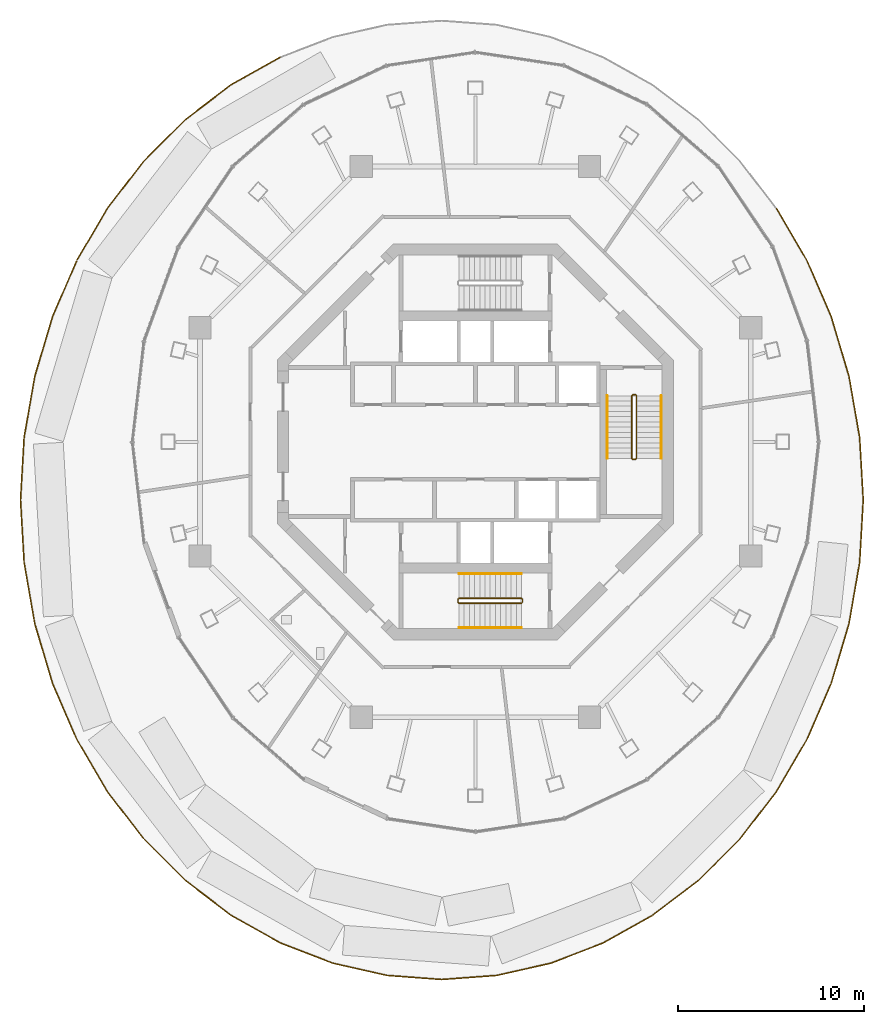
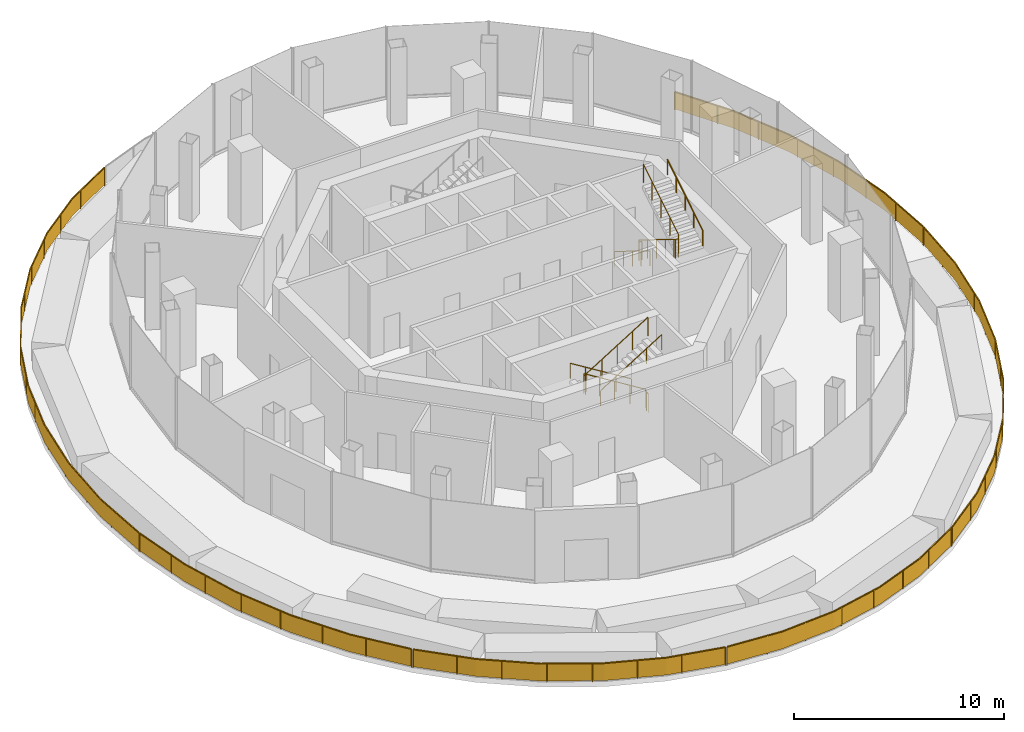
# One storey, part 10 of 12: 14 railings.
"""IFC4 building model written with IfcOpenShell, lengths in metres."""

import ifcopenshell
import ifcopenshell.guid

model = None  # the IFC model being written
_history = None  # IfcOwnerHistory: only IFC2X3 demands one
_inside = {}  # id of a spatial element -> (the spatial element, [elements in it])
_under = {}  # id of a project, library or spatial element -> (it, [spatial elements below it])
_declared = {}  # id of a project -> (the project, [libraries it declares])
_typed = {}  # id of a type object -> (the type object, [elements of that type])
_made_of = {}  # id of a material, layer set ... -> (it, [elements and type objects made of it])


def new_model(schema):
    """Start an empty IFC model of exactly this schema.

    Asked for "IFC4X3", IfcOpenShell would pick the latest addendum, in which some entities
    have other attributes; the version numbers below select the first issue.
    IFC2X3 requires an IfcOwnerHistory on every rooted entity: one is made here for all.
    """
    global model, _history
    if schema == "IFC4X3":
        model = ifcopenshell.file(schema_version=(4, 3, 0, 0))
    else:
        model = ifcopenshell.file(schema=schema)
    _inside.clear()
    _under.clear()
    _declared.clear()
    _typed.clear()
    _made_of.clear()
    _history = None
    if model.schema == "IFC2X3":
        org = make("IfcOrganization", Name="unknown")
        user = make(
            "IfcPersonAndOrganization",
            ThePerson=make("IfcPerson", FamilyName="unknown"),
            TheOrganization=org,
        )
        app = make(
            "IfcApplication",
            ApplicationDeveloper=org,
            Version="unknown",
            ApplicationFullName="unknown",
            ApplicationIdentifier="unknown",
        )
        _history = make(
            "IfcOwnerHistory",
            OwningUser=user,
            OwningApplication=app,
            ChangeAction="ADDED",
            CreationDate=0,
        )
    return model


def make(cls, **values):
    """One entity of the class cls with the attributes given. An attribute that is None is left unset."""
    return model.create_entity(
        cls, **{name: value for name, value in values.items() if value is not None}
    )


def rooted(cls, **values):
    """An entity with a GlobalId (a new one), such as an element, a storey or a relation."""
    return make(cls, GlobalId=ifcopenshell.guid.new(), OwnerHistory=_history, **values)


def si_unit(unit_type, name, prefix=None):
    """IfcSIUnit, for example si_unit("LENGTHUNIT", "METRE", prefix="MILLI")."""
    return make("IfcSIUnit", UnitType=unit_type, Prefix=prefix, Name=name)


def assignment(units):
    """IfcUnitAssignment: the units of a project."""
    return None if units is None else make("IfcUnitAssignment", Units=units)


def point(xyz):
    """IfcCartesianPoint."""
    return None if xyz is None else make("IfcCartesianPoint", Coordinates=xyz)


def direction(xyz):
    """IfcDirection."""
    return None if xyz is None else make("IfcDirection", DirectionRatios=xyz)


def frame(location, z_axis=None, x_axis=None):
    """IfcAxis2Placement3D, a coordinate frame: its origin and axes. An axis left out is left unset."""
    return make(
        "IfcAxis2Placement3D",
        Location=point(location),
        Axis=direction(z_axis),
        RefDirection=direction(x_axis),
    )


def frame_2d(location, x_axis=None):
    """IfcAxis2Placement2D, a coordinate frame in the plane: its origin and x axis."""
    return make(
        "IfcAxis2Placement2D", Location=point(location), RefDirection=direction(x_axis)
    )


def origin():
    """The frame at (0, 0, 0) with its axes left unset."""
    return frame((0.0, 0.0, 0.0))


def origin_2d():
    """The frame at (0, 0) in the plane with its x axis left unset."""
    return frame_2d((0.0, 0.0))


def place(relative_to, where):
    """IfcLocalPlacement: puts the frame where relative to a parent placement (None: the world)."""
    return make(
        "IfcLocalPlacement", PlacementRelTo=relative_to, RelativePlacement=where
    )


def context(
    kind, dimensions, precision=None, world=None, true_north=None, identifier=None
):
    """IfcGeometricRepresentationContext, for example the 3D "Model" context."""
    return make(
        "IfcGeometricRepresentationContext",
        ContextIdentifier=identifier,
        ContextType=kind,
        CoordinateSpaceDimension=dimensions,
        Precision=precision,
        WorldCoordinateSystem=world,
        TrueNorth=true_north,
    )


def subcontext(parent, identifier, kind, view, scale=None):
    """IfcGeometricRepresentationSubContext, for example "Body" below "Model"."""
    return make(
        "IfcGeometricRepresentationSubContext",
        ContextIdentifier=identifier,
        ContextType=kind,
        ParentContext=parent,
        TargetScale=scale,
        TargetView=view,
    )


def project(units=None, contexts=None):
    """IfcProject with its units and contexts."""
    return rooted(
        "IfcProject",
        Name="project",
        RepresentationContexts=contexts,
        UnitsInContext=assignment(units),
    )


def spatial(cls, under=None, at=None, **own):
    """A site, building, storey or space (cls), placed at a placement, below another one or the project."""
    s = rooted(cls, ObjectPlacement=at, **own)
    if under is not None:
        _under.setdefault(under.id(), (under, []))[1].append(s)
    return s


def polyline(points):
    """IfcPolyline through the points."""
    return make("IfcPolyline", Points=[point(p) for p in points])


def profile(cls, at=None, kind="AREA", **sizes):
    """A parametric profile (cls). Its sizes go by their IFC names, for example OverallWidth=200.0."""
    return make(cls, ProfileType=kind, Position=at, **sizes)


def rectangle(**sizes):
    """IfcRectangleProfileDef."""
    return profile("IfcRectangleProfileDef", **sizes)


def circle(**sizes):
    """IfcCircleProfileDef."""
    return profile("IfcCircleProfileDef", **sizes)


def outline(outer, holes=None, kind="AREA"):
    """IfcArbitraryClosedProfileDef: a profile drawn as a closed curve; with holes, ...WithVoids."""
    if holes is None:
        return make("IfcArbitraryClosedProfileDef", ProfileType=kind, OuterCurve=outer)
    return make(
        "IfcArbitraryProfileDefWithVoids",
        ProfileType=kind,
        OuterCurve=outer,
        InnerCurves=holes,
    )


def extrude(swept, where, along, depth):
    """IfcExtrudedAreaSolid: the profile swept, set in the frame where, extruded along a direction by depth."""
    return make(
        "IfcExtrudedAreaSolid",
        SweptArea=swept,
        Position=where,
        ExtrudedDirection=direction(along),
        Depth=depth,
    )


def shape(context_of_items, identifier, shape_type, items):
    """IfcShapeRepresentation: the items that make up one representation, for example the "Body"."""
    return make(
        "IfcShapeRepresentation",
        ContextOfItems=context_of_items,
        RepresentationIdentifier=identifier,
        RepresentationType=shape_type,
        Items=items,
    )


def material(Name=None, Category=None):
    """IfcMaterial."""
    return make("IfcMaterial", Name=Name, Category=Category)


def made_of(thing, what):
    """Note that an element or type object is made of a material, layer set ...; save() writes the relation."""
    if what is not None:
        _made_of.setdefault(what.id(), (what, []))[1].append(thing)
    return thing


def type_object(cls, material=None, **own):
    """A type object (cls), such as IfcWallType, which elements share."""
    return made_of(rooted(cls, **own), material)


def element(
    cls,
    number,
    at=None,
    inside=None,
    cuts=None,
    type_object=None,
    material=None,
    context=None,
    identifier="Body",
    shape_type=None,
    held_by="IfcProductDefinitionShape",
    body=None,
    shapes=None,
    **own,
):
    """One element of the class cls, such as IfcWall. Its Tag is "e" and its number.

    at: its placement. inside: the storey or other place that contains it. cuts: it is an
    opening in that element (IfcRelVoidsElement). A single representation is given by context,
    identifier, shape_type and body (its items); several are given by shapes. held_by: the class
    of the entity that holds the representations. save() writes the other relations.
    """
    e = rooted(cls, Tag="e%d" % number, ObjectPlacement=at, **own)
    if body is not None:
        shapes = [shape(context, identifier, shape_type, body)]
    if shapes is not None:
        e.Representation = make(held_by, Representations=shapes)
    if inside is not None:
        _inside.setdefault(inside.id(), (inside, []))[1].append(e)
    if cuts is not None:
        rooted(
            "IfcRelVoidsElement", RelatingBuildingElement=cuts, RelatedOpeningElement=e
        )
    if type_object is not None:
        _typed.setdefault(type_object.id(), (type_object, []))[1].append(e)
    return made_of(e, material)


def aggregate(whole, parts):
    """IfcRelAggregates: a whole, such as a stair, and the parts it consists of."""
    return rooted("IfcRelAggregates", RelatingObject=whole, RelatedObjects=parts)


def save(model, path):
    """Write the relations noted so far, then the file.

    IfcRelAggregates (storeys below a building ...), IfcRelContainedInSpatialStructure (elements
    in a storey), IfcRelDefinesByType, IfcRelAssociatesMaterial and IfcRelDeclares: one each for
    every whole, place, type object, material and project.
    """
    for whole, parts in _under.values():
        aggregate(whole, parts)
    for where, things in _inside.values():
        rooted(
            "IfcRelContainedInSpatialStructure",
            RelatedElements=things,
            RelatingStructure=where,
        )
    for kind, things in _typed.values():
        rooted("IfcRelDefinesByType", RelatedObjects=things, RelatingType=kind)
    for what, things in _made_of.values():
        rooted("IfcRelAssociatesMaterial", RelatedObjects=things, RelatingMaterial=what)
    for by, libraries in _declared.values():
        rooted("IfcRelDeclares", RelatingContext=by, RelatedDefinitions=libraries)
    model.write(path)


model = new_model("IFC4")

# Units and contexts
model_context = context("Model", 3, precision=1e-05, world=origin(), true_north=direction((0.0, 1.0)))
body_context = subcontext(model_context, "Body", "Model", "MODEL_VIEW")
ifc_project = project(units=[si_unit("LENGTHUNIT", "METRE"), si_unit("AREAUNIT", "SQUARE_METRE"), si_unit("VOLUMEUNIT", "CUBIC_METRE"), si_unit("PLANEANGLEUNIT", "RADIAN"), si_unit("MASSUNIT", "GRAM", prefix="KILO")], contexts=[model_context])

# Site, building, storey
site_placement = place(None, origin())
site = spatial("IfcSite", under=ifc_project, at=site_placement, CompositionType="ELEMENT")
building_placement = place(site_placement, origin())
building = spatial("IfcBuilding", under=site, at=building_placement, Name="Nagisa Residences", CompositionType="ELEMENT")
storey_placement = place(building_placement, frame((0.0, 0.0, 315.89990234375)))
storey = spatial("IfcBuildingStorey", under=building, at=storey_placement, Name="L78", CompositionType="ELEMENT", Elevation=315.89990234375)

# Railings
ifc_material_1 = material(Name="Stainless steel 316", Category="steel")
railing_type_1 = type_object("IfcRailingType", Name="ROOF GUARD 1100", PredefinedType="GUARDRAIL", material=ifc_material_1)
railing_1_placement = place(storey_placement, frame((20.817626953125, -3.07763671875, 0.0)))
element("IfcRailing", 1, at=railing_1_placement, inside=storey, type_object=railing_type_1, Name="guard:L78:garden00", PredefinedType="GUARDRAIL", context=body_context, shape_type="SweptSolid", body=[
    extrude(outline(polyline([(-0.216064453125, 3.316650390625), (-0.02490234375, -0.00146484375), (0.02490234375, 0.00146484375), (-0.166259765625, 3.322509765625), (-0.743896484375, 6.627685546875), (-1.696044921875, 9.81884765625), (-3.005615234375, 12.84130859375), (-4.630126953125, 15.607666015625), (-4.673095703125, 15.582275390625), (-3.050537109375, 12.818359375), (-1.742919921875, 9.8017578125), (-0.792724609375, 6.615966796875), (-0.216064453125, 3.316650390625)])), frame((0.0, 0.0, 1.050048828125)), (0.0, 0.0, 1.0), 0.050048828125),
    extrude(outline(polyline([(-0.1982421875, 3.31884765625), (-0.007080078125, -0.00048828125), (0.007080078125, 0.00048828125), (-0.18408203125, 3.3203125), (-0.761474609375, 6.62353515625), (-1.712890625, 9.812744140625), (-3.021728515625, 12.8330078125), (-4.6455078125, 15.5986328125), (-4.65771484375, 15.59130859375), (-3.034423828125, 12.82666015625), (-1.72607421875, 9.807861328125), (-0.775146484375, 6.6201171875), (-0.1982421875, 3.31884765625)])), frame((0.0, 0.0, 0.06005859375)), (0.0, 0.0, 1.0), 0.989990234375),
    extrude(rectangle(XDim=0.0400390625, YDim=0.0400390625, at=origin_2d()), origin(), (0.0, 0.0, 1.0), 1.050048828125),
    extrude(rectangle(XDim=0.0400390625, YDim=0.0400390625, at=origin_2d()), frame((-0.135498046875, 2.353515625, 0.0)), (0.0, 0.0, 1.0), 1.050048828125),
    extrude(rectangle(XDim=0.0400390625, YDim=0.0400390625, at=origin_2d()), frame((-0.430419921875, 4.688720703125, 0.0)), (0.0, 0.0, 1.0), 1.050048828125),
    extrude(rectangle(XDim=0.0400390625, YDim=0.0400390625, at=origin_2d()), frame((-0.881103515625, 7.000244140625, 0.0)), (0.0, 0.0, 1.0), 1.050048828125),
    extrude(rectangle(XDim=0.0400390625, YDim=0.0400390625, at=origin_2d()), frame((-1.55517578125, 9.25927734375, 0.0)), (0.0, 0.0, 1.0), 1.050048828125),
    extrude(rectangle(XDim=0.0400390625, YDim=0.0400390625, at=origin_2d()), frame((-2.42822265625, 11.44580078125, 0.0)), (0.0, 0.0, 1.0), 1.050048828125),
    extrude(rectangle(XDim=0.0400390625, YDim=0.0400390625, at=origin_2d()), frame((-3.4580078125, 13.56201171875, 0.0)), (0.0, 0.0, 1.0), 1.050048828125),
    extrude(rectangle(XDim=0.0400390625, YDim=0.0400390625, at=origin_2d()), frame((-4.651611328125, 15.594970703125, 0.0)), (0.0, 0.0, 1.0), 1.050048828125),
])
railing_2_placement = place(storey_placement, frame((-10.4912109375, 20.643310546875, 0.0)))
element("IfcRailing", 2, at=railing_2_placement, inside=storey, type_object=railing_type_1, Name="guard:L78:garden03", PredefinedType="GUARDRAIL", context=body_context, shape_type="SweptSolid", body=[
    extrude(outline(polyline([(-2.605224609375, -1.490478515625), (0.01220703125, -0.021728515625), (-0.01220703125, 0.021728515625), (-2.632568359375, -1.448486328125), (-5.095458984375, -3.3212890625), (-7.322265625, -5.54345703125), (-9.275146484375, -8.07763671875), (-10.8994140625, -10.84375), (-10.8564453125, -10.869140625), (-9.233642578125, -8.10546875), (-7.28466796875, -5.57666015625), (-5.062255859375, -3.35888671875), (-2.605224609375, -1.490478515625)])), frame((0.0, 0.0, 1.050048828125)), (0.0, 0.0, 1.0), 0.050048828125),
    extrude(outline(polyline([(-2.614990234375, -1.475341796875), (0.00341796875, -0.006103515625), (-0.00341796875, 0.006103515625), (-2.622802734375, -1.463623046875), (-5.08349609375, -3.334716796875), (-7.308837890625, -5.555419921875), (-9.26025390625, -8.087646484375), (-10.884033203125, -10.852783203125), (-10.871826171875, -10.860107421875), (-9.24853515625, -8.095458984375), (-7.298095703125, -5.564697265625), (-5.07421875, -3.345458984375), (-2.614990234375, -1.475341796875)])), frame((0.0, 0.0, 0.06005859375)), (0.0, 0.0, 1.0), 0.989990234375),
    extrude(rectangle(XDim=0.0400390625, YDim=0.0400390625, at=origin_2d()), origin(), (0.0, 0.0, 1.0), 1.050048828125),
    extrude(rectangle(XDim=0.0400390625, YDim=0.0400390625, at=origin_2d()), frame((-1.9482421875, -1.09326171875, 0.0)), (0.0, 0.0, 1.0), 1.050048828125),
    extrude(rectangle(XDim=0.0400390625, YDim=0.0400390625, at=origin_2d()), frame((-3.78515625, -2.3564453125, 0.0)), (0.0, 0.0, 1.0), 1.050048828125),
    extrude(rectangle(XDim=0.0400390625, YDim=0.0400390625, at=origin_2d()), frame((-5.509765625, -3.770263671875, 0.0)), (0.0, 0.0, 1.0), 1.050048828125),
    extrude(rectangle(XDim=0.0400390625, YDim=0.0400390625, at=origin_2d()), frame((-7.09130859375, -5.34814453125, 0.0)), (0.0, 0.0, 1.0), 1.050048828125),
    extrude(rectangle(XDim=0.0400390625, YDim=0.0400390625, at=origin_2d()), frame((-8.484130859375, -7.092041015625, 0.0)), (0.0, 0.0, 1.0), 1.050048828125),
    extrude(rectangle(XDim=0.0400390625, YDim=0.0400390625, at=origin_2d()), frame((-9.74658203125, -8.929931640625, 0.0)), (0.0, 0.0, 1.0), 1.050048828125),
    extrude(rectangle(XDim=0.0400390625, YDim=0.0400390625, at=origin_2d()), frame((-10.8779296875, -10.8564453125, 0.0)), (0.0, 0.0, 1.0), 1.050048828125),
])
railing_3_placement = place(storey_placement, frame((-21.405517578125, 9.715576171875, 0.0)))
element("IfcRailing", 3, at=railing_3_placement, inside=storey, type_object=railing_type_1, Name="guard:L78:garden04", PredefinedType="GUARDRAIL", context=body_context, shape_type="SweptSolid", body=[
    extrude(outline(polyline([(-1.269287109375, -2.991455078125), (0.02294921875, -0.010009765625), (-0.02294921875, 0.010009765625), (-1.316162109375, -2.974365234375), (-2.26806640625, -6.16552734375), (-2.845947265625, -9.470703125), (-3.03955078125, -12.833251953125), (-2.84814453125, -16.154541015625), (-2.79833984375, -16.151611328125), (-2.9892578125, -12.833251953125), (-2.796142578125, -9.4765625), (-2.21923828125, -6.17724609375), (-1.269287109375, -2.991455078125)])), frame((0.0, 0.0, 1.050048828125)), (0.0, 0.0, 1.0), 0.050048828125),
    extrude(outline(polyline([(-1.2861328125, -2.9853515625), (0.00634765625, -0.002685546875), (-0.00634765625, 0.002685546875), (-1.29931640625, -2.98046875), (-2.25048828125, -6.169677734375), (-2.828125, -9.472900390625), (-3.021484375, -12.833251953125), (-2.830322265625, -16.153564453125), (-2.816162109375, -16.152587890625), (-3.00732421875, -12.833251953125), (-2.81396484375, -9.474365234375), (-2.23681640625, -6.173095703125), (-1.2861328125, -2.9853515625)])), frame((0.0, 0.0, 0.06005859375)), (0.0, 0.0, 1.0), 0.989990234375),
    extrude(rectangle(XDim=0.0400390625, YDim=0.0400390625, at=origin_2d()), origin(), (0.0, 0.0, 1.0), 1.050048828125),
    extrude(rectangle(XDim=0.0400390625, YDim=0.0400390625, at=origin_2d()), frame((-0.944091796875, -2.1787109375, 0.0)), (0.0, 0.0, 1.0), 1.050048828125),
    extrude(rectangle(XDim=0.0400390625, YDim=0.0400390625, at=origin_2d()), frame((-1.720703125, -4.418212890625, 0.0)), (0.0, 0.0, 1.0), 1.050048828125),
    extrude(rectangle(XDim=0.0400390625, YDim=0.0400390625, at=origin_2d()), frame((-2.337646484375, -6.708251953125, 0.0)), (0.0, 0.0, 1.0), 1.050048828125),
    extrude(rectangle(XDim=0.0400390625, YDim=0.0400390625, at=origin_2d()), frame((-2.74658203125, -9.04736328125, 0.0)), (0.0, 0.0, 1.0), 1.050048828125),
    extrude(rectangle(XDim=0.0400390625, YDim=0.0400390625, at=origin_2d()), frame((-2.9326171875, -11.412109375, 0.0)), (0.0, 0.0, 1.0), 1.050048828125),
    extrude(rectangle(XDim=0.0400390625, YDim=0.0400390625, at=origin_2d()), frame((-2.959716796875, -13.782470703125, 0.0)), (0.0, 0.0, 1.0), 1.050048828125),
    extrude(rectangle(XDim=0.0400390625, YDim=0.0400390625, at=origin_2d()), frame((-2.8232421875, -16.153076171875, 0.0)), (0.0, 0.0, 1.0), 1.050048828125),
])
railing_4_placement = place(storey_placement, frame((-24.219482421875, -6.516845703125, 0.0)))
element("IfcRailing", 4, at=railing_4_placement, inside=storey, type_object=railing_type_1, Name="guard:L78:garden05", PredefinedType="GUARDRAIL", context=body_context, shape_type="SweptSolid", body=[
    extrude(outline(polyline([(0.5947265625, -3.257080078125), (0.024658203125, 0.00439453125), (-0.024658203125, -0.00439453125), (0.5458984375, -3.268798828125), (1.497802734375, -6.459716796875), (2.8076171875, -9.482421875), (4.453125, -12.2841796875), (6.380615234375, -14.785400390625), (6.420166015625, -14.754638671875), (4.49462890625, -12.25634765625), (2.8525390625, -9.45947265625), (1.544677734375, -6.442626953125), (0.5947265625, -3.257080078125)])), frame((0.0, 0.0, 1.050048828125)), (0.0, 0.0, 1.0), 0.050048828125),
    extrude(outline(polyline([(0.5771484375, -3.26123046875), (0.0068359375, 0.001220703125), (-0.0068359375, -0.001220703125), (0.5634765625, -3.2646484375), (1.5146484375, -6.45361328125), (2.82373046875, -9.47412109375), (4.468017578125, -12.274169921875), (6.394775390625, -14.7744140625), (6.406005859375, -14.765625), (4.479736328125, -12.266357421875), (2.83642578125, -9.4677734375), (1.52783203125, -6.44873046875), (0.5771484375, -3.26123046875)])), frame((0.0, 0.0, 0.06005859375)), (0.0, 0.0, 1.0), 0.989990234375),
    extrude(rectangle(XDim=0.0400390625, YDim=0.0400390625, at=origin_2d()), origin(), (0.0, 0.0, 1.0), 1.050048828125),
    extrude(rectangle(XDim=0.0400390625, YDim=0.0400390625, at=origin_2d()), frame((0.401611328125, -2.29833984375, 0.0)), (0.0, 0.0, 1.0), 1.050048828125),
    extrude(rectangle(XDim=0.0400390625, YDim=0.0400390625, at=origin_2d()), frame((0.957275390625, -4.560546875, 0.0)), (0.0, 0.0, 1.0), 1.050048828125),
    extrude(rectangle(XDim=0.0400390625, YDim=0.0400390625, at=origin_2d()), frame((1.66455078125, -6.78173828125, 0.0)), (0.0, 0.0, 1.0), 1.050048828125),
    extrude(rectangle(XDim=0.0400390625, YDim=0.0400390625, at=origin_2d()), frame((2.592529296875, -8.922607421875, 0.0)), (0.0, 0.0, 1.0), 1.050048828125),
    extrude(rectangle(XDim=0.0400390625, YDim=0.0400390625, at=origin_2d()), frame((3.708984375, -10.9677734375, 0.0)), (0.0, 0.0, 1.0), 1.050048828125),
    extrude(rectangle(XDim=0.0400390625, YDim=0.0400390625, at=origin_2d()), frame((4.97607421875, -12.921875, 0.0)), (0.0, 0.0, 1.0), 1.050048828125),
    extrude(rectangle(XDim=0.0400390625, YDim=0.0400390625, at=origin_2d()), frame((6.400390625, -14.77001953125, 0.0)), (0.0, 0.0, 1.0), 1.050048828125),
])
railing_5_placement = place(storey_placement, frame((-17.766357421875, -21.346923828125, 0.0)))
element("IfcRailing", 5, at=railing_5_placement, inside=storey, type_object=railing_type_1, Name="guard:L78:garden06", PredefinedType="GUARDRAIL", context=body_context, shape_type="SweptSolid", body=[
    extrude(outline(polyline([(2.212890625, -2.1728515625), (0.017578125, 0.017822265625), (-0.017578125, -0.017822265625), (2.1796875, -2.21044921875), (4.642578125, -4.083251953125), (7.29931640625, -5.57421875), (10.1044921875, -6.65771484375), (12.96923828125, -7.30615234375), (12.98046875, -7.25732421875), (10.119140625, -6.60986328125), (7.32080078125, -5.52880859375), (4.669921875, -4.041259765625), (2.212890625, -2.1728515625)])), frame((0.0, 0.0, 1.050048828125)), (0.0, 0.0, 1.0), 0.050048828125),
    extrude(outline(polyline([(2.200927734375, -2.186279296875), (0.0048828125, 0.0048828125), (-0.0048828125, -0.0048828125), (2.191650390625, -2.197021484375), (4.65234375, -4.068115234375), (7.30712890625, -5.557861328125), (10.10986328125, -6.640625), (12.973388671875, -7.28857421875), (12.976318359375, -7.27490234375), (10.11376953125, -6.626953125), (7.31298828125, -5.545166015625), (4.66015625, -4.056396484375), (2.200927734375, -2.186279296875)])), frame((0.0, 0.0, 0.06005859375)), (0.0, 0.0, 1.0), 0.989990234375),
    extrude(rectangle(XDim=0.0400390625, YDim=0.0400390625, at=origin_2d()), origin(), (0.0, 0.0, 1.0), 1.050048828125),
    extrude(rectangle(XDim=0.0400390625, YDim=0.0400390625, at=origin_2d()), frame((1.53466796875, -1.53125, 0.0)), (0.0, 0.0, 1.0), 1.050048828125),
    extrude(rectangle(XDim=0.0400390625, YDim=0.0400390625, at=origin_2d()), frame((3.177734375, -2.93798828125, 0.0)), (0.0, 0.0, 1.0), 1.050048828125),
    extrude(rectangle(XDim=0.0400390625, YDim=0.0400390625, at=origin_2d()), frame((4.927001953125, -4.214111328125, 0.0)), (0.0, 0.0, 1.0), 1.050048828125),
    extrude(rectangle(XDim=0.0400390625, YDim=0.0400390625, at=origin_2d()), frame((6.817626953125, -5.275146484375, 0.0)), (0.0, 0.0, 1.0), 1.050048828125),
    extrude(rectangle(XDim=0.0400390625, YDim=0.0400390625, at=origin_2d()), frame((8.8056640625, -6.129150390625, 0.0)), (0.0, 0.0, 1.0), 1.050048828125),
    extrude(rectangle(XDim=0.0400390625, YDim=0.0400390625, at=origin_2d()), frame((10.8603515625, -6.80322265625, 0.0)), (0.0, 0.0, 1.0), 1.050048828125),
    extrude(rectangle(XDim=0.0400390625, YDim=0.0400390625, at=origin_2d()), frame((12.974853515625, -7.28173828125, 0.0)), (0.0, 0.0, 1.0), 1.050048828125),
])
railing_6_placement = place(storey_placement, frame((-4.712646484375, -28.640380859375, 0.0)))
element("IfcRailing", 6, at=railing_6_placement, inside=storey, type_object=railing_type_1, Name="guard:L78:garden07", PredefinedType="GUARDRAIL", context=body_context, shape_type="SweptSolid", body=[
    extrude(outline(polyline([(2.91259765625, -0.192138671875), (0.001953125, 0.02490234375), (-0.001953125, -0.02490234375), (2.91259765625, -0.242431640625), (5.868896484375, -0.02197265625), (8.7744140625, 0.6357421875), (11.57958984375, 1.71923828125), (14.199951171875, 3.18994140625), (14.175537109375, 3.2333984375), (11.55810546875, 1.7646484375), (8.759765625, 0.68359375), (5.861572265625, 0.02783203125), (2.91259765625, -0.192138671875)])), frame((0.0, 0.0, 1.050048828125)), (0.0, 0.0, 1.0), 0.050048828125),
    extrude(outline(polyline([(2.91259765625, -0.210205078125), (0.00048828125, 0.007080078125), (-0.00048828125, -0.007080078125), (2.91259765625, -0.224365234375), (5.8662109375, -0.00390625), (8.76904296875, 0.65283203125), (11.57177734375, 1.735595703125), (14.191162109375, 3.20556640625), (14.184326171875, 3.2177734375), (11.56591796875, 1.748291015625), (8.76513671875, 0.66650390625), (5.8642578125, 0.009765625), (2.91259765625, -0.210205078125)])), frame((0.0, 0.0, 0.06005859375)), (0.0, 0.0, 1.0), 0.989990234375),
    extrude(rectangle(XDim=0.0400390625, YDim=0.0400390625, at=origin_2d()), origin(), (0.0, 0.0, 1.0), 1.050048828125),
    extrude(rectangle(XDim=0.0400390625, YDim=0.0400390625, at=origin_2d()), frame((2.117431640625, -0.157958984375, 0.0)), (0.0, 0.0, 1.0), 1.050048828125),
    extrude(rectangle(XDim=0.0400390625, YDim=0.0400390625, at=origin_2d()), frame((4.23486328125, -0.11865234375, 0.0)), (0.0, 0.0, 1.0), 1.050048828125),
    extrude(rectangle(XDim=0.0400390625, YDim=0.0400390625, at=origin_2d()), frame((6.341796875, 0.11083984375, 0.0)), (0.0, 0.0, 1.0), 1.050048828125),
    extrude(rectangle(XDim=0.0400390625, YDim=0.0400390625, at=origin_2d()), frame((8.41259765625, 0.579345703125, 0.0)), (0.0, 0.0, 1.0), 1.050048828125),
    extrude(rectangle(XDim=0.0400390625, YDim=0.0400390625, at=origin_2d()), frame((10.408935546875, 1.2939453125, 0.0)), (0.0, 0.0, 1.0), 1.050048828125),
    extrude(rectangle(XDim=0.0400390625, YDim=0.0400390625, at=origin_2d()), frame((12.336181640625, 2.172607421875, 0.0)), (0.0, 0.0, 1.0), 1.050048828125),
    extrude(rectangle(XDim=0.0400390625, YDim=0.0400390625, at=origin_2d()), frame((14.187744140625, 3.211669921875, 0.0)), (0.0, 0.0, 1.0), 1.050048828125),
])
railing_7_placement = place(storey_placement, frame((9.541748046875, -25.385009765625, 0.0)))
element("IfcRailing", 7, at=railing_7_placement, inside=storey, type_object=railing_type_1, Name="guard:L78:garden08", PredefinedType="GUARDRAIL", context=body_context, shape_type="SweptSolid", body=[
    extrude(outline(polyline([(2.411865234375, 1.865234375), (-0.01513671875, 0.02001953125), (0.01513671875, -0.02001953125), (2.445068359375, 1.82763671875), (4.671875, 4.0498046875), (6.624755859375, 6.583984375), (8.270263671875, 9.3857421875), (9.5634765625, 12.370361328125), (9.517578125, 12.390380859375), (8.225341796875, 9.40869140625), (6.583251953125, 6.61181640625), (4.63427734375, 4.0830078125), (2.411865234375, 1.865234375)])), frame((0.0, 0.0, 1.050048828125)), (0.0, 0.0, 1.0), 0.050048828125),
    extrude(outline(polyline([(2.423828125, 1.851806640625), (-0.004150390625, 0.005615234375), (0.004150390625, -0.005615234375), (2.43310546875, 1.841064453125), (4.658447265625, 4.061767578125), (6.60986328125, 6.593994140625), (8.254150390625, 9.39404296875), (9.546875, 12.377685546875), (9.5341796875, 12.383056640625), (8.241455078125, 9.400390625), (6.59814453125, 6.601806640625), (4.647705078125, 4.071044921875), (2.423828125, 1.851806640625)])), frame((0.0, 0.0, 0.06005859375)), (0.0, 0.0, 1.0), 0.989990234375),
    extrude(rectangle(XDim=0.0400390625, YDim=0.0400390625, at=origin_2d()), origin(), (0.0, 0.0, 1.0), 1.050048828125),
    extrude(rectangle(XDim=0.0400390625, YDim=0.0400390625, at=origin_2d()), frame((1.806640625, 1.37353515625, 0.0)), (0.0, 0.0, 1.0), 1.050048828125),
    extrude(rectangle(XDim=0.0400390625, YDim=0.0400390625, at=origin_2d()), frame((3.48193359375, 2.897705078125, 0.0)), (0.0, 0.0, 1.0), 1.050048828125),
    extrude(rectangle(XDim=0.0400390625, YDim=0.0400390625, at=origin_2d()), frame((5.028564453125, 4.5537109375, 0.0)), (0.0, 0.0, 1.0), 1.050048828125),
    extrude(rectangle(XDim=0.0400390625, YDim=0.0400390625, at=origin_2d()), frame((6.4140625, 6.351318359375, 0.0)), (0.0, 0.0, 1.0), 1.050048828125),
    extrude(rectangle(XDim=0.0400390625, YDim=0.0400390625, at=origin_2d()), frame((7.595703125, 8.28662109375, 0.0)), (0.0, 0.0, 1.0), 1.050048828125),
    extrude(rectangle(XDim=0.0400390625, YDim=0.0400390625, at=origin_2d()), frame((8.63818359375, 10.2978515625, 0.0)), (0.0, 0.0, 1.0), 1.050048828125),
    extrude(rectangle(XDim=0.0400390625, YDim=0.0400390625, at=origin_2d()), frame((9.54052734375, 12.38037109375, 0.0)), (0.0, 0.0, 1.0), 1.050048828125),
])
railing_8_placement = place(storey_placement, frame((19.109619140625, -12.9296875, 0.0)))
element("IfcRailing", 8, at=railing_8_placement, inside=storey, type_object=railing_type_1, Name="guard:L78:garden09", PredefinedType="GUARDRAIL", context=body_context, shape_type="SweptSolid", body=[
    extrude(outline(polyline([(0.915283203125, 3.15576171875), (-0.02392578125, 0.007080078125), (0.02392578125, -0.007080078125), (0.964111328125, 3.14404296875), (1.541748046875, 6.44921875), (1.73291015625, 9.7705078125), (1.68310546875, 9.7734375), (1.491943359375, 6.455078125), (0.915283203125, 3.15576171875)])), frame((0.0, 0.0, 1.050048828125)), (0.0, 0.0, 1.0), 0.050048828125),
    extrude(outline(polyline([(0.932861328125, 3.151611328125), (-0.006591796875, 0.001953125), (0.006591796875, -0.001953125), (0.946533203125, 3.148193359375), (1.52392578125, 6.451416015625), (1.715087890625, 9.771484375), (1.700927734375, 9.7724609375), (1.509765625, 6.452880859375), (0.932861328125, 3.151611328125)])), frame((0.0, 0.0, 0.06005859375)), (0.0, 0.0, 1.0), 0.989990234375),
    extrude(rectangle(XDim=0.0400390625, YDim=0.0400390625, at=origin_2d()), origin(), (0.0, 0.0, 1.0), 1.050048828125),
    extrude(rectangle(XDim=0.0400390625, YDim=0.0400390625, at=origin_2d()), frame((0.56982421875, 1.90966796875, 0.0)), (0.0, 0.0, 1.0), 1.050048828125),
    extrude(rectangle(XDim=0.0400390625, YDim=0.0400390625, at=origin_2d()), frame((1.06005859375, 3.83837890625, 0.0)), (0.0, 0.0, 1.0), 1.050048828125),
    extrude(rectangle(XDim=0.0400390625, YDim=0.0400390625, at=origin_2d()), frame((1.403076171875, 5.801513671875, 0.0)), (0.0, 0.0, 1.0), 1.050048828125),
    extrude(rectangle(XDim=0.0400390625, YDim=0.0400390625, at=origin_2d()), frame((1.593505859375, 7.7822265625, 0.0)), (0.0, 0.0, 1.0), 1.050048828125),
    extrude(rectangle(XDim=0.0400390625, YDim=0.0400390625, at=origin_2d()), frame((1.7080078125, 9.77197265625, 0.0)), (0.0, 0.0, 1.0), 1.050048828125),
])
ifc_material_2 = material(Name="Stainless steel", Category="steel")
railing_type_2 = type_object("IfcRailingType", Name="Stair guard 1100", PredefinedType="GUARDRAIL", material=ifc_material_2)
railing_9_placement = place(storey_placement, frame((8.599609375, 2.52490234375, 0.0)))
element("IfcRailing", 9, at=railing_9_placement, inside=storey, type_object=railing_type_2, Name="L78 ST-E stair guard 1", PredefinedType="GUARDRAIL", context=body_context, shape_type="SweptSolid", body=[
    extrude(circle(Radius=0.02392578125, at=origin_2d()), frame((0.0, 0.0, 1.076171875), z_axis=(-1.0, 0.0, 0.0), x_axis=(0.0, -1.0, 0.0)), (0.0, 0.0, 1.0), 0.14990234375),
    extrude(circle(Radius=0.02392578125, at=origin_2d()), frame((-0.14990234375, 0.0, 1.076171875), z_axis=(-0.267723051232, -0.266417085129, 0.925929967433), x_axis=(0.705375805398, -0.708833529934, 0.0)), (0.0, 0.0, 1.0), 0.18701171875),
    extrude(circle(Radius=0.02392578125, at=origin_2d()), frame((-0.199951171875, -0.0498046875, 1.2490234375), z_axis=(0.0, -0.850623216509, 0.525775754039), x_axis=(1.0, 0.0, 0.0)), (0.0, 0.0, 1.0), 3.9501953125),
    extrude(circle(Radius=0.02392578125, at=origin_2d()), frame((-0.199951171875, -3.409912109375, 3.326171875), z_axis=(0.707106781187, -0.707106781187, 0.0), x_axis=(0.707106781187, 0.707106781187, 0.0)), (0.0, 0.0, 1.0), 0.07080078125),
    extrude(circle(Radius=0.02392578125, at=origin_2d()), frame((-0.14990234375, -3.4599609375, 3.326171875), z_axis=(1.0, 0.0, 0.0), x_axis=(0.0, 1.0, 0.0)), (0.0, 0.0, 1.0), 0.14990234375),
    extrude(circle(Radius=0.02392578125, at=origin_2d()), frame((0.0, -3.4599609375, 3.326171875), z_axis=(0.267629722418, 0.267629722418, 0.925607186314), x_axis=(-0.707106781187, 0.707106781187, 0.0)), (0.0, 0.0, 1.0), 0.18701171875),
    extrude(circle(Radius=0.02392578125, at=origin_2d()), frame((0.050048828125, -3.409912109375, 3.4990234375), z_axis=(0.0, 0.850623216509, 0.525775754039), x_axis=(-1.0, 0.0, 0.0)), (0.0, 0.0, 1.0), 3.9501953125),
    extrude(circle(Radius=0.02099609375, at=origin_2d()), origin(), (0.0, 0.0, 1.0), 1.052001953125),
    extrude(circle(Radius=0.02099609375, at=origin_2d()), frame((-0.14990234375, 0.0, 0.0)), (0.0, 0.0, 1.0), 1.052001953125),
    extrude(circle(Radius=0.02099609375, at=origin_2d()), frame((-0.199951171875, -0.0498046875, 0.173095703125)), (0.0, 0.0, 1.0), 1.052001953125),
    extrude(circle(Radius=0.02099609375, at=origin_2d()), frame((-0.199951171875, -0.889892578125, 0.6923828125)), (0.0, 0.0, 1.0), 1.052001953125),
    extrude(circle(Radius=0.02099609375, at=origin_2d()), frame((-0.199951171875, -1.72998046875, 1.21142578125)), (0.0, 0.0, 1.0), 1.052001953125),
    extrude(circle(Radius=0.02099609375, at=origin_2d()), frame((-0.199951171875, -2.56982421875, 1.730712890625)), (0.0, 0.0, 1.0), 1.052001953125),
    extrude(circle(Radius=0.02099609375, at=origin_2d()), frame((-0.199951171875, -3.409912109375, 2.25)), (0.0, 0.0, 1.0), 1.052001953125),
    extrude(circle(Radius=0.02099609375, at=origin_2d()), frame((-0.14990234375, -3.4599609375, 2.25)), (0.0, 0.0, 1.0), 1.052001953125),
    extrude(circle(Radius=0.02099609375, at=origin_2d()), frame((0.0, -3.4599609375, 2.25)), (0.0, 0.0, 1.0), 1.052001953125),
    extrude(circle(Radius=0.02099609375, at=origin_2d()), frame((0.050048828125, -3.409912109375, 2.423095703125)), (0.0, 0.0, 1.0), 1.052001953125),
    extrude(circle(Radius=0.02099609375, at=origin_2d()), frame((0.050048828125, -2.56982421875, 2.9423828125)), (0.0, 0.0, 1.0), 1.052001953125),
    extrude(circle(Radius=0.02099609375, at=origin_2d()), frame((0.050048828125, -1.72998046875, 3.46142578125)), (0.0, 0.0, 1.0), 1.052001953125),
    extrude(circle(Radius=0.02099609375, at=origin_2d()), frame((0.050048828125, -0.889892578125, 3.980712890625)), (0.0, 0.0, 1.0), 1.052001953125),
    extrude(circle(Radius=0.02099609375, at=origin_2d()), frame((0.050048828125, -0.0498046875, 4.5)), (0.0, 0.0, 1.0), 1.052001953125),
])
railing_10_placement = place(storey_placement, frame((2.52490234375, -8.599609375, 0.0)))
element("IfcRailing", 10, at=railing_10_placement, inside=storey, type_object=railing_type_2, Name="L78 ST-S stair guard 1", PredefinedType="GUARDRAIL", context=body_context, shape_type="SweptSolid", body=[
    extrude(circle(Radius=0.02392578125, at=origin_2d()), frame((0.0, 0.0, 1.076171875), z_axis=(0.0, 1.0, 0.0), x_axis=(-1.0, 0.0, 0.0)), (0.0, 0.0, 1.0), 0.14990234375),
    extrude(circle(Radius=0.02392578125, at=origin_2d()), frame((0.0, 0.14990234375, 1.076171875), z_axis=(-0.266417085129, 0.267723051232, 0.925929967433), x_axis=(-0.708833529934, -0.705375805398, 0.0)), (0.0, 0.0, 1.0), 0.18701171875),
    extrude(circle(Radius=0.02392578125, at=origin_2d()), frame((-0.0498046875, 0.199951171875, 1.2490234375), z_axis=(-0.850623216509, 0.0, 0.525775754039), x_axis=(0.0, -1.0, 0.0)), (0.0, 0.0, 1.0), 3.9501953125),
    extrude(circle(Radius=0.02392578125, at=origin_2d()), frame((-3.409912109375, 0.199951171875, 3.326171875), z_axis=(-0.707106781187, -0.707106781187, 0.0), x_axis=(0.707106781187, -0.707106781187, 0.0)), (0.0, 0.0, 1.0), 0.07080078125),
    extrude(circle(Radius=0.02392578125, at=origin_2d()), frame((-3.4599609375, 0.14990234375, 3.326171875), z_axis=(0.0, -1.0, 0.0), x_axis=(1.0, 0.0, 0.0)), (0.0, 0.0, 1.0), 0.14990234375),
    extrude(circle(Radius=0.02392578125, at=origin_2d()), frame((-3.4599609375, 0.0, 3.326171875), z_axis=(0.267629722418, -0.267629722418, 0.925607186314), x_axis=(0.707106781187, 0.707106781187, 0.0)), (0.0, 0.0, 1.0), 0.18701171875),
    extrude(circle(Radius=0.02392578125, at=origin_2d()), frame((-3.409912109375, -0.050048828125, 3.4990234375), z_axis=(0.850623216509, 0.0, 0.525775754039), x_axis=(0.0, 1.0, 0.0)), (0.0, 0.0, 1.0), 3.9501953125),
    extrude(circle(Radius=0.02099609375, at=origin_2d()), origin(), (0.0, 0.0, 1.0), 1.052001953125),
    extrude(circle(Radius=0.02099609375, at=origin_2d()), frame((0.0, 0.14990234375, 0.0)), (0.0, 0.0, 1.0), 1.052001953125),
    extrude(circle(Radius=0.02099609375, at=origin_2d()), frame((-0.0498046875, 0.199951171875, 0.173095703125)), (0.0, 0.0, 1.0), 1.052001953125),
    extrude(circle(Radius=0.02099609375, at=origin_2d()), frame((-0.889892578125, 0.199951171875, 0.6923828125)), (0.0, 0.0, 1.0), 1.052001953125),
    extrude(circle(Radius=0.02099609375, at=origin_2d()), frame((-1.72998046875, 0.199951171875, 1.21142578125)), (0.0, 0.0, 1.0), 1.052001953125),
    extrude(circle(Radius=0.02099609375, at=origin_2d()), frame((-2.56982421875, 0.199951171875, 1.730712890625)), (0.0, 0.0, 1.0), 1.052001953125),
    extrude(circle(Radius=0.02099609375, at=origin_2d()), frame((-3.409912109375, 0.199951171875, 2.25)), (0.0, 0.0, 1.0), 1.052001953125),
    extrude(circle(Radius=0.02099609375, at=origin_2d()), frame((-3.4599609375, 0.14990234375, 2.25)), (0.0, 0.0, 1.0), 1.052001953125),
    extrude(circle(Radius=0.02099609375, at=origin_2d()), frame((-3.4599609375, 0.0, 2.25)), (0.0, 0.0, 1.0), 1.052001953125),
    extrude(circle(Radius=0.02099609375, at=origin_2d()), frame((-3.409912109375, -0.050048828125, 2.423095703125)), (0.0, 0.0, 1.0), 1.052001953125),
    extrude(circle(Radius=0.02099609375, at=origin_2d()), frame((-2.56982421875, -0.050048828125, 2.9423828125)), (0.0, 0.0, 1.0), 1.052001953125),
    extrude(circle(Radius=0.02099609375, at=origin_2d()), frame((-1.72998046875, -0.050048828125, 3.46142578125)), (0.0, 0.0, 1.0), 1.052001953125),
    extrude(circle(Radius=0.02099609375, at=origin_2d()), frame((-0.889892578125, -0.050048828125, 3.980712890625)), (0.0, 0.0, 1.0), 1.052001953125),
    extrude(circle(Radius=0.02099609375, at=origin_2d()), frame((-0.0498046875, -0.050048828125, 4.5)), (0.0, 0.0, 1.0), 1.052001953125),
])
ifc_material_3 = material(Name="Stainless steel", Category="steel")
railing_type_3 = type_object("IfcRailingType", Name="Stair handrail 900", PredefinedType="HANDRAIL", material=ifc_material_3)
railing_11_placement = place(storey_placement, frame((7.07470703125, 2.47509765625, 0.173095703125)))
element("IfcRailing", 11, at=railing_11_placement, inside=storey, type_object=railing_type_3, Name="L78 ST-E stair handrail 1", PredefinedType="HANDRAIL", context=body_context, shape_type="SweptSolid", body=[
    extrude(circle(Radius=0.02392578125, at=origin_2d()), frame((0.0, 0.0, 0.8759765625), z_axis=(0.0, -0.850623216509, 0.525775754039), x_axis=(1.0, 0.0, 0.0)), (0.0, 0.0, 1.0), 3.9501953125),
    extrude(circle(Radius=0.02099609375, at=origin_2d()), origin(), (0.0, 0.0, 1.0), 0.851806640625),
    extrude(circle(Radius=0.02099609375, at=origin_2d()), frame((0.0, -0.840087890625, 0.519287109375)), (0.0, 0.0, 1.0), 0.851806640625),
    extrude(circle(Radius=0.02099609375, at=origin_2d()), frame((0.0, -1.68017578125, 1.03857421875)), (0.0, 0.0, 1.0), 0.851806640625),
    extrude(circle(Radius=0.02099609375, at=origin_2d()), frame((0.0, -2.52001953125, 1.5576171875)), (0.0, 0.0, 1.0), 0.851806640625),
    extrude(circle(Radius=0.02099609375, at=origin_2d()), frame((0.0, -3.360107421875, 2.076904296875)), (0.0, 0.0, 1.0), 0.851806640625),
])
railing_12_placement = place(storey_placement, frame((9.974609375, -0.885009765625, 2.423095703125)))
element("IfcRailing", 12, at=railing_12_placement, inside=storey, type_object=railing_type_3, Name="L78 ST-E stair handrail 2", PredefinedType="HANDRAIL", context=body_context, shape_type="SweptSolid", body=[
    extrude(circle(Radius=0.02392578125, at=origin_2d()), frame((0.0, 0.0, 0.8759765625), z_axis=(0.0, 0.850623216509, 0.525775754039), x_axis=(-1.0, 0.0, 0.0)), (0.0, 0.0, 1.0), 3.9501953125),
    extrude(circle(Radius=0.02099609375, at=origin_2d()), origin(), (0.0, 0.0, 1.0), 0.851806640625),
    extrude(circle(Radius=0.02099609375, at=origin_2d()), frame((0.0, 0.840087890625, 0.519287109375)), (0.0, 0.0, 1.0), 0.851806640625),
    extrude(circle(Radius=0.02099609375, at=origin_2d()), frame((0.0, 1.68017578125, 1.03857421875)), (0.0, 0.0, 1.0), 0.851806640625),
    extrude(circle(Radius=0.02099609375, at=origin_2d()), frame((0.0, 2.52001953125, 1.5576171875)), (0.0, 0.0, 1.0), 0.851806640625),
    extrude(circle(Radius=0.02099609375, at=origin_2d()), frame((0.0, 3.360107421875, 2.076904296875)), (0.0, 0.0, 1.0), 0.851806640625),
])
railing_13_placement = place(storey_placement, frame((2.47509765625, -7.07470703125, 0.173095703125)))
element("IfcRailing", 13, at=railing_13_placement, inside=storey, type_object=railing_type_3, Name="L78 ST-S stair handrail 1", PredefinedType="HANDRAIL", context=body_context, shape_type="SweptSolid", body=[
    extrude(circle(Radius=0.02392578125, at=origin_2d()), frame((0.0, 0.0, 0.8759765625), z_axis=(-0.850623216509, 0.0, 0.525775754039), x_axis=(0.0, -1.0, 0.0)), (0.0, 0.0, 1.0), 3.9501953125),
    extrude(circle(Radius=0.02099609375, at=origin_2d()), origin(), (0.0, 0.0, 1.0), 0.851806640625),
    extrude(circle(Radius=0.02099609375, at=origin_2d()), frame((-0.840087890625, 0.0, 0.519287109375)), (0.0, 0.0, 1.0), 0.851806640625),
    extrude(circle(Radius=0.02099609375, at=origin_2d()), frame((-1.68017578125, 0.0, 1.03857421875)), (0.0, 0.0, 1.0), 0.851806640625),
    extrude(circle(Radius=0.02099609375, at=origin_2d()), frame((-2.52001953125, 0.0, 1.5576171875)), (0.0, 0.0, 1.0), 0.851806640625),
    extrude(circle(Radius=0.02099609375, at=origin_2d()), frame((-3.360107421875, 0.0, 2.076904296875)), (0.0, 0.0, 1.0), 0.851806640625),
])
railing_14_placement = place(storey_placement, frame((-0.885009765625, -9.974609375, 2.423095703125)))
element("IfcRailing", 14, at=railing_14_placement, inside=storey, type_object=railing_type_3, Name="L78 ST-S stair handrail 2", PredefinedType="HANDRAIL", context=body_context, shape_type="SweptSolid", body=[
    extrude(circle(Radius=0.02392578125, at=origin_2d()), frame((0.0, 0.0, 0.8759765625), z_axis=(0.850623216509, 0.0, 0.525775754039), x_axis=(0.0, 1.0, 0.0)), (0.0, 0.0, 1.0), 3.9501953125),
    extrude(circle(Radius=0.02099609375, at=origin_2d()), origin(), (0.0, 0.0, 1.0), 0.851806640625),
    extrude(circle(Radius=0.02099609375, at=origin_2d()), frame((0.840087890625, 0.0, 0.519287109375)), (0.0, 0.0, 1.0), 0.851806640625),
    extrude(circle(Radius=0.02099609375, at=origin_2d()), frame((1.68017578125, 0.0, 1.03857421875)), (0.0, 0.0, 1.0), 0.851806640625),
    extrude(circle(Radius=0.02099609375, at=origin_2d()), frame((2.52001953125, 0.0, 1.5576171875)), (0.0, 0.0, 1.0), 0.851806640625),
    extrude(circle(Radius=0.02099609375, at=origin_2d()), frame((3.360107421875, 0.0, 2.076904296875)), (0.0, 0.0, 1.0), 0.851806640625),
])

save(model, "model.ifc")
